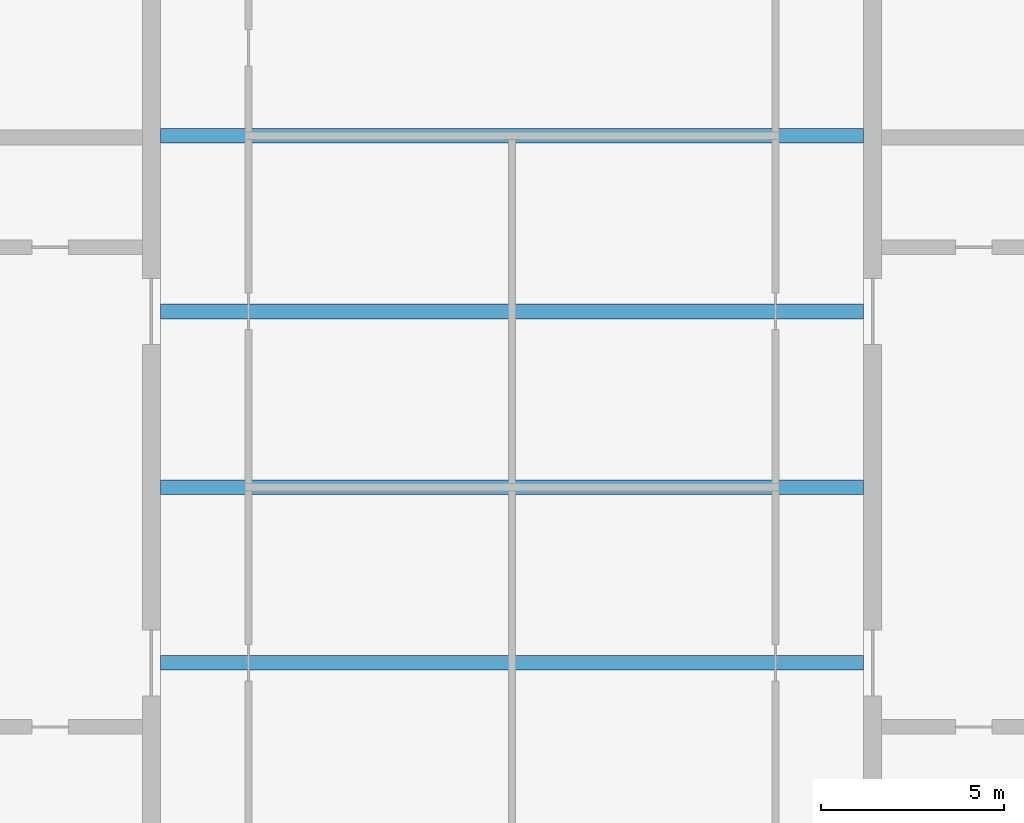
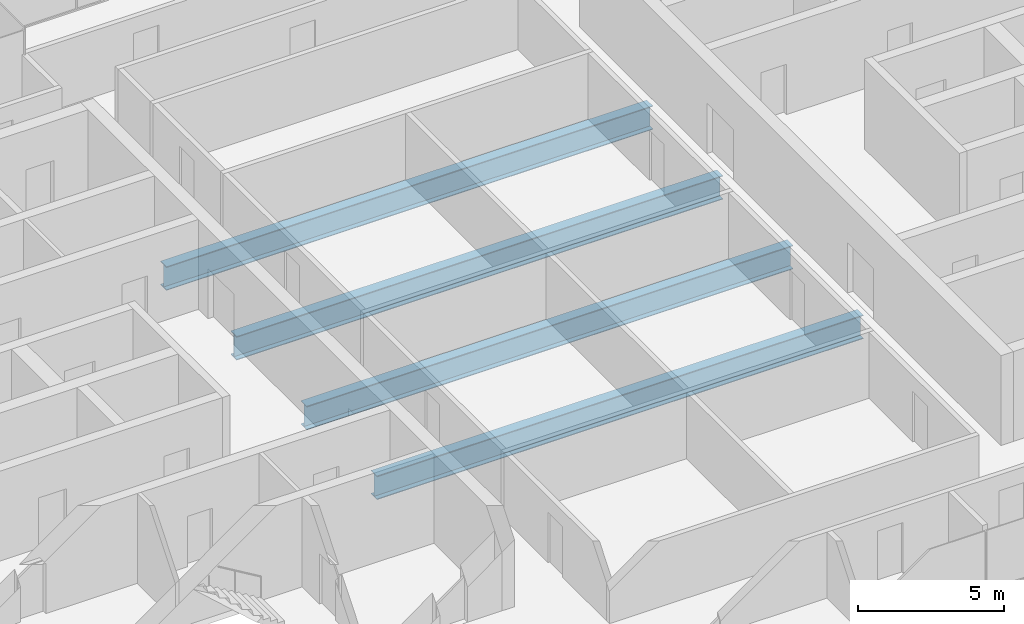
# One storey, part 3 of 12: 4 beams.
"""IFC4 building model written with IfcOpenShell, lengths in metres."""

from ifc_helpers import new_model, si_unit, direction, frame, origin, origin_2d, place, context, subcontext, project, spatial, i_section, extrude, material, material_profile, profile_set, type_object, element, save


model = new_model("IFC4")

# Units and contexts
model_context = context("Model", 3, precision=1e-05, world=origin(), true_north=direction((0.0, 1.0)))
body_context = subcontext(model_context, "Body", "Model", "MODEL_VIEW")
ifc_project = project(units=[si_unit("LENGTHUNIT", "METRE"), si_unit("AREAUNIT", "SQUARE_METRE"), si_unit("VOLUMEUNIT", "CUBIC_METRE"), si_unit("PLANEANGLEUNIT", "RADIAN"), si_unit("MASSUNIT", "GRAM", prefix="KILO")], contexts=[model_context])

# Site, building, storey
site_placement = place(None, origin())
site = spatial("IfcSite", under=ifc_project, at=site_placement, CompositionType="ELEMENT")
building_placement = place(site_placement, origin())
building = spatial("IfcBuilding", under=site, at=building_placement, Name="Baori Bourse Tower", CompositionType="ELEMENT")
storey_placement = place(building_placement, frame((0.0, 0.0, 362.300048828125)))
storey = spatial("IfcBuildingStorey", under=building, at=storey_placement, Name="L81", CompositionType="ELEMENT", Elevation=362.300048828125)

# Beams
ifc_material = material(Name="Steel A992 Gr 50", Category="steel")
ifc_material_profile = material_profile(ifc_material, i_section(OverallWidth=0.4013671875, OverallDepth=0.990478515625, WebThickness=0.0166015625, FlangeThickness=0.031005859375, at=origin_2d()), Name="W40x215")
ifc_profile_set = profile_set([ifc_material_profile], Name="Steel A992 Gr 50")
beam_type = type_object("IfcBeamType", Name="Floor beam W40x215", PredefinedType="BEAM", material=ifc_profile_set)
for number, where, z_axis, x_axis, name in (
    (1, (19.199951171875, 19.199951171875, -0.745361328125), (1.0, 0.0, 0.0), (0.0, 1.0, 0.0), "Floor beam L81"),
    (2, (19.199951171875, 24.0, -0.745361328125), (1.0, 0.0, 0.0), (0.0, 1.0, 0.0), "Floor beam L81"),
    (3, (19.199951171875, 28.800048828125, -0.745361328125), (1.0, 0.0, 0.0), (0.0, 1.0, 0.0), "Floor beam L81"),
    (4, (19.199951171875, 33.60009765625, -0.745361328125), (1.0, 0.0, 0.0), (0.0, 1.0, 0.0), "Floor beam L81"),
):
    element("IfcBeam", number, at=place(storey_placement, frame(where, z_axis=z_axis, x_axis=x_axis)), inside=storey, type_object=beam_type, Name=name, PredefinedType="BEAM", context=body_context, shape_type="SweptSolid", body=[
        extrude(i_section(OverallWidth=0.4013671875, OverallDepth=0.990478515625, WebThickness=0.0166015625, FlangeThickness=0.031005859375, at=origin_2d()), origin(), (0.0, 0.0, 1.0), 19.199951171875),
    ])

save(model, "model.ifc")
